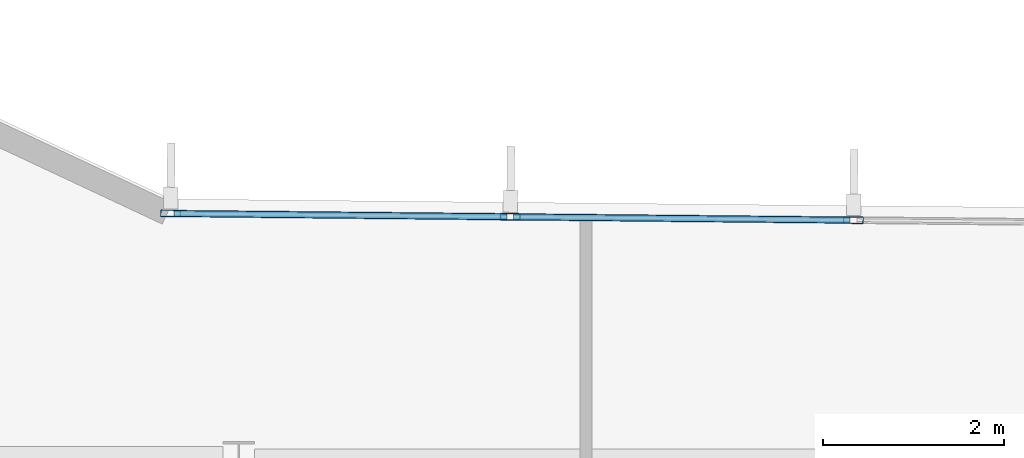
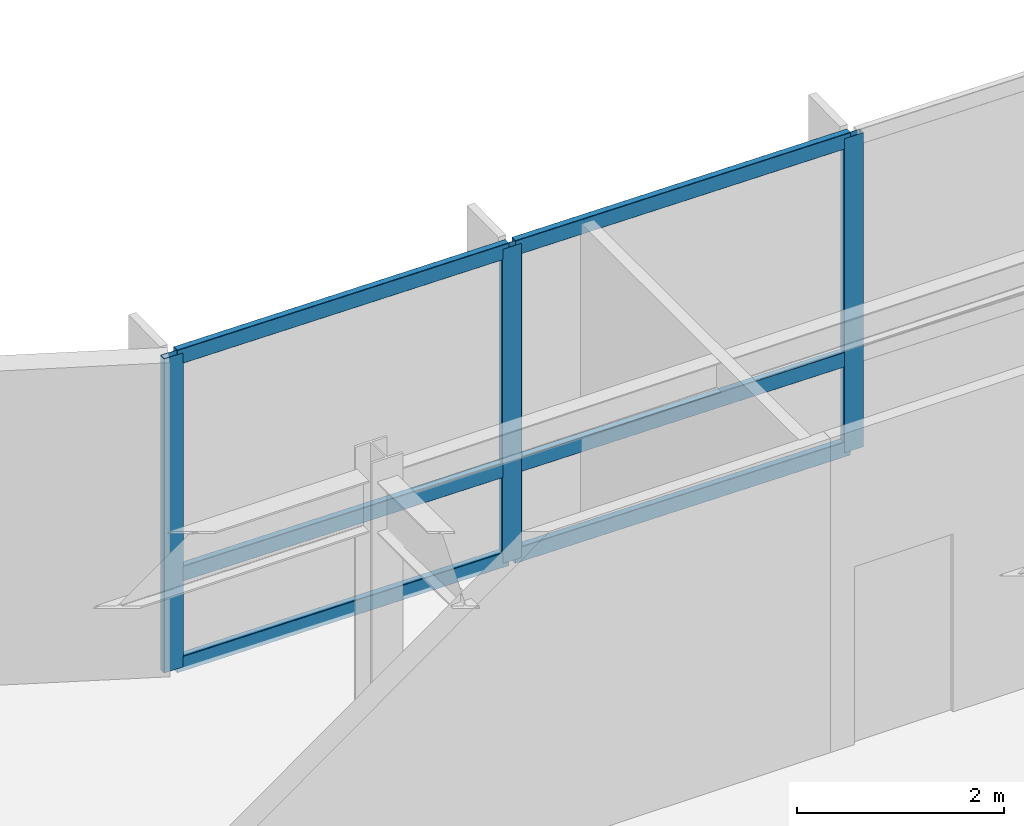
# One storey, part 4 of 18: 9 members, 1 element without a shape of its own.
"""IFC4 building model written with IfcOpenShell, lengths in metres."""

from ifc_helpers import new_model, si_unit, direction, frame, origin, origin_2d, place, context, subcontext, project, spatial, hollow_rectangle, extrude, material, layer, layer_set, material_profile, profile_set, type_object, element, aggregate, save


model = new_model("IFC4")

# Units and contexts
model_context = context("Model", 3, precision=1e-05, world=origin(), true_north=direction((0.0, 1.0)))
body_context = subcontext(model_context, "Body", "Model", "MODEL_VIEW")
ifc_project = project(units=[si_unit("LENGTHUNIT", "METRE"), si_unit("AREAUNIT", "SQUARE_METRE"), si_unit("VOLUMEUNIT", "CUBIC_METRE"), si_unit("PLANEANGLEUNIT", "RADIAN"), si_unit("MASSUNIT", "GRAM", prefix="KILO")], contexts=[model_context])

# Site, building, storey
site_placement = place(None, origin())
site = spatial("IfcSite", under=ifc_project, at=site_placement, CompositionType="ELEMENT")
building_placement = place(site_placement, origin())
building = spatial("IfcBuilding", under=site, at=building_placement, Name="Varnakote Quay Hospital", CompositionType="ELEMENT")
storey_placement = place(building_placement, frame((0.0, 0.0, 30.39990234375)))
storey = spatial("IfcBuildingStorey", under=building, at=storey_placement, Name="L07", CompositionType="ELEMENT", Elevation=30.39990234375)

# Curtain wall, members
ifc_material_1 = material(Name="Anodised aluminium 6063-T6 Bronze", Category="aluminium")
ifc_layer = layer(ifc_material_1, 0.18994140625)
ifc_layer_set = layer_set([ifc_layer], Name="Anodised aluminium 6063-T6 Bronze")
curtain_wall_type = type_object("IfcCurtainWallType", Name="CW-SYS-2", PredefinedType="NOTDEFINED", material=ifc_layer_set)
curtain_wall_placement = place(storey_placement, origin())
curtain_wall = element("IfcCurtainWall", 1, at=curtain_wall_placement, inside=storey, type_object=curtain_wall_type, Name="L07 Unitised Bronze Curtain Wall 2", PredefinedType="NOTDEFINED")
ifc_material_2 = material(Name="Anodised aluminium 6063-T6 Bronze", Category="aluminium")
ifc_material_profile_1 = material_profile(ifc_material_2, hollow_rectangle(XDim=0.074951171875, YDim=0.219970703125, WallThickness=0.00439453125, InnerFilletRadius=0.00439453125, OuterFilletRadius=0.009033203125, at=origin_2d()), Name="CW-MULL-220x75")
ifc_profile_set_1 = profile_set([ifc_material_profile_1], Name="Anodised aluminium 6063-T6 Bronze")
member_type_1 = type_object("IfcMemberType", Name="CW-MULL-220x75", PredefinedType="MULLION", material=ifc_profile_set_1)
member_1_placement = place(storey_placement, frame((31.99853515625, 31.418212890625, 0.0), z_axis=(0.0, 0.0, 1.0), x_axis=(-0.009774266312, -0.999952230718, 0.0)))
member_1 = element("IfcMember", 2, at=member_1_placement, type_object=member_type_1, Name="-2-L07-2 mullion 3", PredefinedType="MULLION", context=body_context, shape_type="SweptSolid", body=[
    extrude(hollow_rectangle(XDim=0.074951171875, YDim=0.219970703125, WallThickness=0.00439453125, InnerFilletRadius=0.00439453125, OuterFilletRadius=0.009033203125, at=origin_2d()), origin(), (0.0, 0.0, 1.0), 3.710205078125),
])
member_2_placement = place(storey_placement, frame((28.203125, 31.455078125, 0.0), z_axis=(0.0, 0.0, 1.0), x_axis=(-0.009774266312, -0.999952230718, 0.0)))
member_2 = element("IfcMember", 3, at=member_2_placement, type_object=member_type_1, Name="-2-L07-2 mullion 4", PredefinedType="MULLION", context=body_context, shape_type="SweptSolid", body=[
    extrude(hollow_rectangle(XDim=0.074951171875, YDim=0.219970703125, WallThickness=0.00439453125, InnerFilletRadius=0.00439453125, OuterFilletRadius=0.009033203125, at=origin_2d()), origin(), (0.0, 0.0, 1.0), 3.710205078125),
])
member_3_placement = place(storey_placement, frame((24.445068359375, 31.491943359375, 0.0), z_axis=(0.0, 0.0, 1.0), x_axis=(-0.009774266312, -0.999952230718, 0.0)))
member_3 = element("IfcMember", 4, at=member_3_placement, type_object=member_type_1, Name="-2-L07-2 mullion 5", PredefinedType="MULLION", context=body_context, shape_type="SweptSolid", body=[
    extrude(hollow_rectangle(XDim=0.074951171875, YDim=0.219970703125, WallThickness=0.00439453125, InnerFilletRadius=0.00439453125, OuterFilletRadius=0.009033203125, at=origin_2d()), origin(), (0.0, 0.0, 1.0), 3.710205078125),
])
ifc_material_3 = material(Name="Anodised aluminium 6063-T6 Bronze", Category="aluminium")
ifc_material_profile_2 = material_profile(ifc_material_3, hollow_rectangle(XDim=0.074951171875, YDim=0.179931640625, WallThickness=0.004150390625, InnerFilletRadius=0.004150390625, OuterFilletRadius=0.00830078125, at=origin_2d()), Name="CW-TRAN-180x75")
ifc_profile_set_2 = profile_set([ifc_material_profile_2], Name="Anodised aluminium 6063-T6 Bronze")
member_type_2 = type_object("IfcMemberType", Name="CW-TRAN-180x75", PredefinedType="USERDEFINED", material=ifc_profile_set_2)
member_4_placement = place(storey_placement, frame((31.961181640625, 31.41845703125, 0.03759765625), z_axis=(-0.999952209511, 0.009776435644, 0.0), x_axis=(-0.009776435644, -0.999952209511, 0.0)))
member_4 = element("IfcMember", 5, at=member_4_placement, type_object=member_type_2, Name="-2-L07-2 transom 3.1", ObjectType="TRANSOM", PredefinedType="USERDEFINED", context=body_context, shape_type="SweptSolid", body=[
    extrude(hollow_rectangle(XDim=0.074951171875, YDim=0.179931640625, WallThickness=0.004150390625, InnerFilletRadius=0.004150390625, OuterFilletRadius=0.00830078125, at=origin_2d()), origin(), (0.0, 0.0, 1.0), 3.720947265625),
])
member_5_placement = place(storey_placement, frame((31.961181640625, 31.41845703125, 1.10009765625), z_axis=(-0.999952209511, 0.009776435644, 0.0), x_axis=(-0.009776435644, -0.999952209511, 0.0)))
member_5 = element("IfcMember", 6, at=member_5_placement, type_object=member_type_2, Name="-2-L07-2 transom 3.2", ObjectType="TRANSOM", PredefinedType="USERDEFINED", context=body_context, shape_type="SweptSolid", body=[
    extrude(hollow_rectangle(XDim=0.074951171875, YDim=0.179931640625, WallThickness=0.004150390625, InnerFilletRadius=0.004150390625, OuterFilletRadius=0.00830078125, at=origin_2d()), origin(), (0.0, 0.0, 1.0), 3.720947265625),
])
member_6_placement = place(storey_placement, frame((31.961181640625, 31.41845703125, 3.672607421875), z_axis=(-0.999952209511, 0.009776435644, 0.0), x_axis=(-0.009776435644, -0.999952209511, 0.0)))
member_6 = element("IfcMember", 7, at=member_6_placement, type_object=member_type_2, Name="-2-L07-2 transom 3.3", ObjectType="TRANSOM", PredefinedType="USERDEFINED", context=body_context, shape_type="SweptSolid", body=[
    extrude(hollow_rectangle(XDim=0.074951171875, YDim=0.179931640625, WallThickness=0.004150390625, InnerFilletRadius=0.004150390625, OuterFilletRadius=0.00830078125, at=origin_2d()), origin(), (0.0, 0.0, 1.0), 3.720947265625),
])
member_7_placement = place(storey_placement, frame((28.16552734375, 31.45556640625, 0.03759765625), z_axis=(-0.999952523017, 0.00974431693, 0.0), x_axis=(-0.00974431693, -0.999952523017, 0.0)))
member_7 = element("IfcMember", 8, at=member_7_placement, type_object=member_type_2, Name="-2-L07-2 transom 4.1", ObjectType="TRANSOM", PredefinedType="USERDEFINED", context=body_context, shape_type="SweptSolid", body=[
    extrude(hollow_rectangle(XDim=0.074951171875, YDim=0.179931640625, WallThickness=0.004150390625, InnerFilletRadius=0.004150390625, OuterFilletRadius=0.00830078125, at=origin_2d()), origin(), (0.0, 0.0, 1.0), 3.68310546875),
])
member_8_placement = place(storey_placement, frame((28.16552734375, 31.45556640625, 1.10009765625), z_axis=(-0.999952523017, 0.00974431693, 0.0), x_axis=(-0.00974431693, -0.999952523017, 0.0)))
member_8 = element("IfcMember", 9, at=member_8_placement, type_object=member_type_2, Name="-2-L07-2 transom 4.2", ObjectType="TRANSOM", PredefinedType="USERDEFINED", context=body_context, shape_type="SweptSolid", body=[
    extrude(hollow_rectangle(XDim=0.074951171875, YDim=0.179931640625, WallThickness=0.004150390625, InnerFilletRadius=0.004150390625, OuterFilletRadius=0.00830078125, at=origin_2d()), origin(), (0.0, 0.0, 1.0), 3.68310546875),
])
member_9_placement = place(storey_placement, frame((28.16552734375, 31.45556640625, 3.672607421875), z_axis=(-0.999952523017, 0.00974431693, 0.0), x_axis=(-0.00974431693, -0.999952523017, 0.0)))
member_9 = element("IfcMember", 10, at=member_9_placement, type_object=member_type_2, Name="-2-L07-2 transom 4.3", ObjectType="TRANSOM", PredefinedType="USERDEFINED", context=body_context, shape_type="SweptSolid", body=[
    extrude(hollow_rectangle(XDim=0.074951171875, YDim=0.179931640625, WallThickness=0.004150390625, InnerFilletRadius=0.004150390625, OuterFilletRadius=0.00830078125, at=origin_2d()), origin(), (0.0, 0.0, 1.0), 3.68310546875),
])
aggregate(curtain_wall, [member_1, member_2, member_3, member_4, member_5, member_6, member_7, member_8, member_9])

save(model, "model.ifc")
